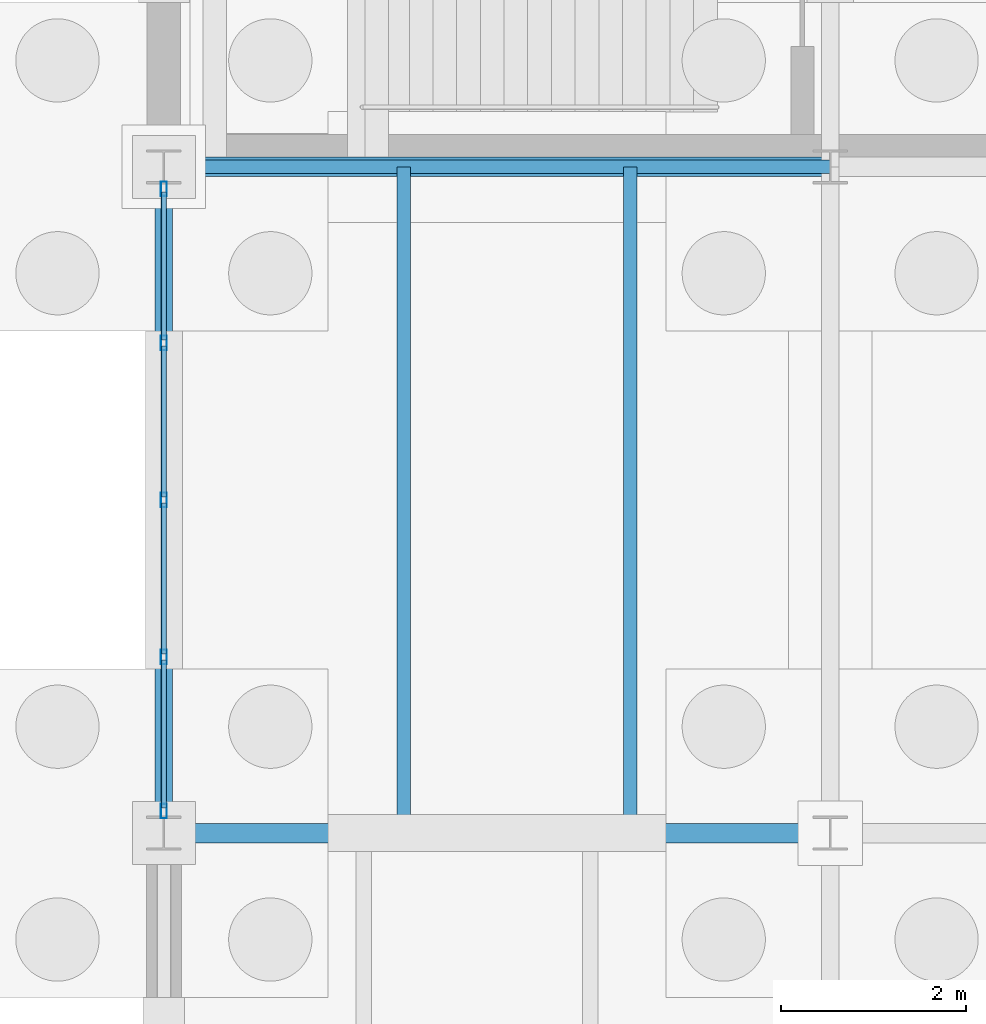
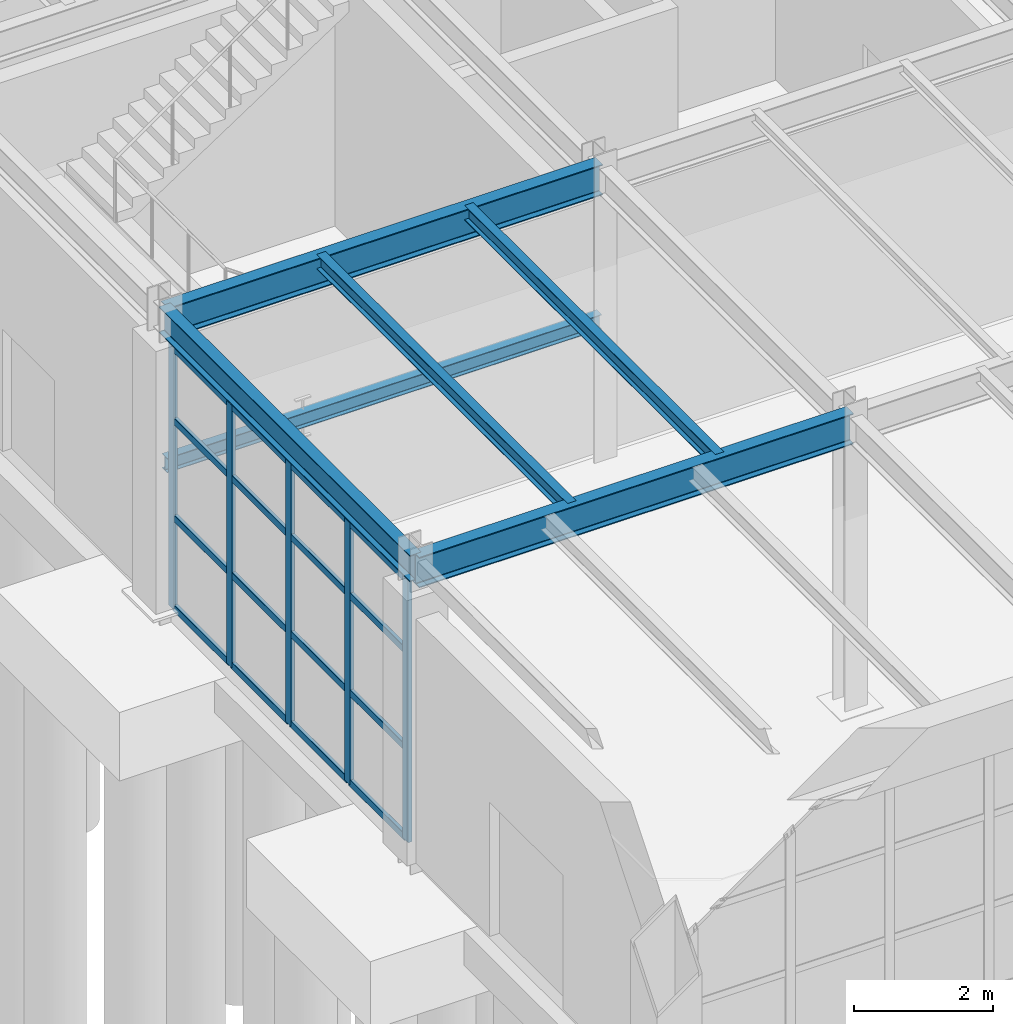
# One storey, part 41 of 293: 21 members, 6 beams, 1 element without a shape of its own.
"""IFC4 building model written with IfcOpenShell, lengths in metres."""

from ifc_helpers import new_model, si_unit, direction, frame, origin, origin_2d, place, context, subcontext, project, spatial, hollow_rectangle, i_section, extrude, material, layer, layer_set, material_profile, profile_set, type_object, element, aggregate, save


model = new_model("IFC4")

# Units and contexts
model_context = context("Model", 3, precision=1e-05, world=origin(), true_north=direction((0.0, 1.0)))
body_context = subcontext(model_context, "Body", "Model", "MODEL_VIEW")
ifc_project = project(units=[si_unit("LENGTHUNIT", "METRE"), si_unit("AREAUNIT", "SQUARE_METRE"), si_unit("VOLUMEUNIT", "CUBIC_METRE"), si_unit("PLANEANGLEUNIT", "RADIAN"), si_unit("MASSUNIT", "GRAM", prefix="KILO")], contexts=[model_context])

# Site, building, storey
site_placement = place(None, origin())
site = spatial("IfcSite", under=ifc_project, at=site_placement, CompositionType="ELEMENT")
building_placement = place(site_placement, origin())
building = spatial("IfcBuilding", under=site, at=building_placement, Name="Kemerveld Promenade Tramway Depot", CompositionType="ELEMENT")
storey_placement = place(building_placement, origin())
storey = spatial("IfcBuildingStorey", under=building, at=storey_placement, Name="L00", CompositionType="ELEMENT", Elevation=0.0)

# Beams
ifc_material_1 = material(Name="Steel S355", Category="steel")
ifc_material_profile_1 = material_profile(ifc_material_1, i_section(OverallWidth=0.2099609375, OverallDepth=0.53662109375, WebThickness=0.0107421875, FlangeThickness=0.017333984375, FilletRadius=0.0126953125, at=origin_2d()), Name="533x210x101 UB")
ifc_profile_set_1 = profile_set([ifc_material_profile_1], Name="Steel S355")
beam_type_1 = type_object("IfcBeamType", Name="BM-G05", PredefinedType="BEAM", material=ifc_profile_set_1)
for number, where, z_axis, x_axis, name in (
    (1, (0.0, 7.199951171875, 4.881591796875), (1.0, 0.0, 0.0), (0.0, 1.0, 0.0), "BMX-L00-01-02-B"),
    (2, (0.0, 14.39990234375, 4.881591796875), (1.0, 0.0, 0.0), (0.0, 1.0, 0.0), "BMX-L00-01-02-C"),
):
    element("IfcBeam", number, at=place(storey_placement, frame(where, z_axis=z_axis, x_axis=x_axis)), inside=storey, type_object=beam_type_1, Name=name, PredefinedType="BEAM", context=body_context, shape_type="SweptSolid", body=[
        extrude(i_section(OverallWidth=0.2099609375, OverallDepth=0.53662109375, WebThickness=0.0107421875, FlangeThickness=0.017333984375, FilletRadius=0.0126953125, at=origin_2d()), origin(), (0.0, 0.0, 1.0), 7.199951171875),
    ])
ifc_material_profile_2 = material_profile(ifc_material_1, i_section(OverallWidth=0.19140625, OverallDepth=0.4599609375, WebThickness=0.010009765625, FlangeThickness=0.01611328125, FilletRadius=0.01025390625, at=origin_2d()), Name="457x191x82 UB")
ifc_profile_set_2 = profile_set([ifc_material_profile_2], Name="Steel S355")
beam_type_2 = type_object("IfcBeamType", Name="BM-G06", PredefinedType="BEAM", material=ifc_profile_set_2)
beam_placement = place(storey_placement, frame((0.0, 7.199951171875, 4.919921875), z_axis=(0.0, 1.0, 0.0), x_axis=(-1.0, 0.0, 0.0)))
element("IfcBeam", 3, at=beam_placement, inside=storey, type_object=beam_type_2, Name="BMY-L00-01-B-C", PredefinedType="BEAM", context=body_context, shape_type="SweptSolid", body=[
    extrude(i_section(OverallWidth=0.19140625, OverallDepth=0.4599609375, WebThickness=0.010009765625, FlangeThickness=0.01611328125, FilletRadius=0.01025390625, at=origin_2d()), origin(), (0.0, 0.0, 1.0), 7.199951171875),
])
ifc_material_profile_3 = material_profile(ifc_material_1, i_section(OverallWidth=0.146484375, OverallDepth=0.256103515625, WebThickness=0.00634765625, FlangeThickness=0.010986328125, FilletRadius=0.007568359375, at=origin_2d()), Name="254x146x37 UB")
ifc_profile_set_3 = profile_set([ifc_material_profile_3], Name="Steel S355")
beam_type_3 = type_object("IfcBeamType", Name="BM-J02", PredefinedType="JOIST", material=ifc_profile_set_3)
for number, where, z_axis, x_axis, name in (
    (4, (2.592041015625, 7.199951171875, 5.02197265625), (0.0, 1.0, 0.0), (-1.0, 0.0, 0.0), "JST-L00-01-B-1"),
    (5, (5.0400390625, 7.199951171875, 5.02197265625), (0.0, 1.0, 0.0), (-1.0, 0.0, 0.0), "JST-L00-01-B-2"),
    (6, (0.0, 14.39990234375, 2.3720703125), (1.0, 0.0, 0.0), (0.0, 1.0, 0.0), "BM-HLY-ST-01-L00-S"),
):
    element("IfcBeam", number, at=place(storey_placement, frame(where, z_axis=z_axis, x_axis=x_axis)), inside=storey, type_object=beam_type_3, Name=name, PredefinedType="JOIST", context=body_context, shape_type="SweptSolid", body=[
        extrude(i_section(OverallWidth=0.146484375, OverallDepth=0.256103515625, WebThickness=0.00634765625, FlangeThickness=0.010986328125, FilletRadius=0.007568359375, at=origin_2d()), origin(), (0.0, 0.0, 1.0), 7.199951171875),
    ])

# Curtain wall, members
ifc_material_2 = material(Name="Bronze anodised aluminium and solar glass", Category="aluminium")
ifc_layer = layer(ifc_material_2, 0.159912109375)
ifc_layer_set = layer_set([ifc_layer], Name="CW-SYS-05")
curtain_wall_type = type_object("IfcCurtainWallType", Name="CW-SYS-05", PredefinedType="USERDEFINED", material=ifc_layer_set)
curtain_wall_placement = place(storey_placement, origin())
curtain_wall = element("IfcCurtainWall", 7, at=curtain_wall_placement, inside=storey, type_object=curtain_wall_type, Name="CW-L00-V5W-02", ObjectType="GLAZED_CURTAIN_WALL", PredefinedType="USERDEFINED")
ifc_material_3 = material(Name="Bronze anodised aluminium", Category="aluminium")
ifc_material_profile_4 = material_profile(ifc_material_3, hollow_rectangle(XDim=0.06494140625, YDim=0.159912109375, WallThickness=0.00390625, InnerFilletRadius=0.001953125, OuterFilletRadius=0.00390625, at=origin_2d()), Name="CW-MUL-160x65")
ifc_profile_set_4 = profile_set([ifc_material_profile_4], Name="Bronze anodised aluminium")
member_type_1 = type_object("IfcMemberType", Name="CW-MUL-A", PredefinedType="MULLION", material=ifc_profile_set_4)
member_1_placement = place(storey_placement, frame((0.0, 7.438720703125, 0.0), z_axis=(0.0, 0.0, 1.0), x_axis=(-1.0, 0.0, 0.0)))
member_1 = element("IfcMember", 8, at=member_1_placement, type_object=member_type_1, Name="CW05 mullion 1", PredefinedType="MULLION", context=body_context, shape_type="SweptSolid", body=[
    extrude(hollow_rectangle(XDim=0.06494140625, YDim=0.159912109375, WallThickness=0.00390625, InnerFilletRadius=0.001953125, OuterFilletRadius=0.00390625, at=origin_2d()), origin(), (0.0, 0.0, 1.0), 4.593505859375),
])
member_2_placement = place(storey_placement, frame((0.0, 9.103271484375, 0.0), z_axis=(0.0, 0.0, 1.0), x_axis=(-1.0, 0.0, 0.0)))
member_2 = element("IfcMember", 9, at=member_2_placement, type_object=member_type_1, Name="CW05 mullion 2", PredefinedType="MULLION", context=body_context, shape_type="SweptSolid", body=[
    extrude(hollow_rectangle(XDim=0.06494140625, YDim=0.159912109375, WallThickness=0.00390625, InnerFilletRadius=0.001953125, OuterFilletRadius=0.00390625, at=origin_2d()), origin(), (0.0, 0.0, 1.0), 4.593505859375),
])
member_3_placement = place(storey_placement, frame((0.0, 10.800048828125, 0.0), z_axis=(0.0, 0.0, 1.0), x_axis=(-1.0, 0.0, 0.0)))
member_3 = element("IfcMember", 10, at=member_3_placement, type_object=member_type_1, Name="CW05 mullion 3", PredefinedType="MULLION", context=body_context, shape_type="SweptSolid", body=[
    extrude(hollow_rectangle(XDim=0.06494140625, YDim=0.159912109375, WallThickness=0.00390625, InnerFilletRadius=0.001953125, OuterFilletRadius=0.00390625, at=origin_2d()), origin(), (0.0, 0.0, 1.0), 4.593505859375),
])
member_4_placement = place(storey_placement, frame((0.0, 12.496826171875, 0.0), z_axis=(0.0, 0.0, 1.0), x_axis=(-1.0, 0.0, 0.0)))
member_4 = element("IfcMember", 11, at=member_4_placement, type_object=member_type_1, Name="CW05 mullion 4", PredefinedType="MULLION", context=body_context, shape_type="SweptSolid", body=[
    extrude(hollow_rectangle(XDim=0.06494140625, YDim=0.159912109375, WallThickness=0.00390625, InnerFilletRadius=0.001953125, OuterFilletRadius=0.00390625, at=origin_2d()), origin(), (0.0, 0.0, 1.0), 4.593505859375),
])
member_5_placement = place(storey_placement, frame((0.0, 14.1611328125, 0.0), z_axis=(0.0, 0.0, 1.0), x_axis=(-1.0, 0.0, 0.0)))
member_5 = element("IfcMember", 12, at=member_5_placement, type_object=member_type_1, Name="CW05 mullion 5", PredefinedType="MULLION", context=body_context, shape_type="SweptSolid", body=[
    extrude(hollow_rectangle(XDim=0.06494140625, YDim=0.159912109375, WallThickness=0.00390625, InnerFilletRadius=0.001953125, OuterFilletRadius=0.00390625, at=origin_2d()), origin(), (0.0, 0.0, 1.0), 4.593505859375),
])
ifc_material_profile_5 = material_profile(ifc_material_3, hollow_rectangle(XDim=0.06005859375, YDim=0.1201171875, WallThickness=0.00390625, InnerFilletRadius=0.001953125, OuterFilletRadius=0.00390625, at=origin_2d()), Name="CW-TRN-120x60")
ifc_profile_set_5 = profile_set([ifc_material_profile_5], Name="Bronze anodised aluminium")
member_type_2 = type_object("IfcMemberType", Name="CW-TRN-A", PredefinedType="USERDEFINED", material=ifc_profile_set_5)
member_6_placement = place(storey_placement, frame((0.0, 7.47119140625, 0.030029296875), z_axis=(0.0, 1.0, 0.0), x_axis=(-1.0, 0.0, 0.0)))
member_6 = element("IfcMember", 13, at=member_6_placement, type_object=member_type_2, Name="CW05 transom 1.1", ObjectType="TRANSOM", PredefinedType="USERDEFINED", context=body_context, shape_type="SweptSolid", body=[
    extrude(hollow_rectangle(XDim=0.06005859375, YDim=0.1201171875, WallThickness=0.00390625, InnerFilletRadius=0.001953125, OuterFilletRadius=0.00390625, at=origin_2d()), origin(), (0.0, 0.0, 1.0), 1.599365234375),
])
member_7_placement = place(storey_placement, frame((0.0, 7.47119140625, 1.60791015625), z_axis=(0.0, 1.0, 0.0), x_axis=(-1.0, 0.0, 0.0)))
member_7 = element("IfcMember", 14, at=member_7_placement, type_object=member_type_2, Name="CW05 transom 1.2", ObjectType="TRANSOM", PredefinedType="USERDEFINED", context=body_context, shape_type="SweptSolid", body=[
    extrude(hollow_rectangle(XDim=0.06005859375, YDim=0.1201171875, WallThickness=0.00390625, InnerFilletRadius=0.001953125, OuterFilletRadius=0.00390625, at=origin_2d()), origin(), (0.0, 0.0, 1.0), 1.599365234375),
])
member_8_placement = place(storey_placement, frame((0.0, 7.47119140625, 3.306884765625), z_axis=(0.0, 1.0, 0.0), x_axis=(-1.0, 0.0, 0.0)))
member_8 = element("IfcMember", 15, at=member_8_placement, type_object=member_type_2, Name="CW05 transom 1.3", ObjectType="TRANSOM", PredefinedType="USERDEFINED", context=body_context, shape_type="SweptSolid", body=[
    extrude(hollow_rectangle(XDim=0.06005859375, YDim=0.1201171875, WallThickness=0.00390625, InnerFilletRadius=0.001953125, OuterFilletRadius=0.00390625, at=origin_2d()), origin(), (0.0, 0.0, 1.0), 1.599365234375),
])
member_9_placement = place(storey_placement, frame((0.0, 7.47119140625, 4.5634765625), z_axis=(0.0, 1.0, 0.0), x_axis=(-1.0, 0.0, 0.0)))
member_9 = element("IfcMember", 16, at=member_9_placement, type_object=member_type_2, Name="CW05 transom 1.4", ObjectType="TRANSOM", PredefinedType="USERDEFINED", context=body_context, shape_type="SweptSolid", body=[
    extrude(hollow_rectangle(XDim=0.06005859375, YDim=0.1201171875, WallThickness=0.00390625, InnerFilletRadius=0.001953125, OuterFilletRadius=0.00390625, at=origin_2d()), origin(), (0.0, 0.0, 1.0), 1.599365234375),
])
member_10_placement = place(storey_placement, frame((0.0, 9.1357421875, 0.030029296875), z_axis=(0.0, 1.0, 0.0), x_axis=(-1.0, 0.0, 0.0)))
member_10 = element("IfcMember", 17, at=member_10_placement, type_object=member_type_2, Name="CW05 transom 2.1", ObjectType="TRANSOM", PredefinedType="USERDEFINED", context=body_context, shape_type="SweptSolid", body=[
    extrude(hollow_rectangle(XDim=0.06005859375, YDim=0.1201171875, WallThickness=0.00390625, InnerFilletRadius=0.001953125, OuterFilletRadius=0.00390625, at=origin_2d()), origin(), (0.0, 0.0, 1.0), 1.6318359375),
])
member_11_placement = place(storey_placement, frame((0.0, 9.1357421875, 1.60791015625), z_axis=(0.0, 1.0, 0.0), x_axis=(-1.0, 0.0, 0.0)))
member_11 = element("IfcMember", 18, at=member_11_placement, type_object=member_type_2, Name="CW05 transom 2.2", ObjectType="TRANSOM", PredefinedType="USERDEFINED", context=body_context, shape_type="SweptSolid", body=[
    extrude(hollow_rectangle(XDim=0.06005859375, YDim=0.1201171875, WallThickness=0.00390625, InnerFilletRadius=0.001953125, OuterFilletRadius=0.00390625, at=origin_2d()), origin(), (0.0, 0.0, 1.0), 1.6318359375),
])
member_12_placement = place(storey_placement, frame((0.0, 9.1357421875, 3.306884765625), z_axis=(0.0, 1.0, 0.0), x_axis=(-1.0, 0.0, 0.0)))
member_12 = element("IfcMember", 19, at=member_12_placement, type_object=member_type_2, Name="CW05 transom 2.3", ObjectType="TRANSOM", PredefinedType="USERDEFINED", context=body_context, shape_type="SweptSolid", body=[
    extrude(hollow_rectangle(XDim=0.06005859375, YDim=0.1201171875, WallThickness=0.00390625, InnerFilletRadius=0.001953125, OuterFilletRadius=0.00390625, at=origin_2d()), origin(), (0.0, 0.0, 1.0), 1.6318359375),
])
member_13_placement = place(storey_placement, frame((0.0, 9.1357421875, 4.5634765625), z_axis=(0.0, 1.0, 0.0), x_axis=(-1.0, 0.0, 0.0)))
member_13 = element("IfcMember", 20, at=member_13_placement, type_object=member_type_2, Name="CW05 transom 2.4", ObjectType="TRANSOM", PredefinedType="USERDEFINED", context=body_context, shape_type="SweptSolid", body=[
    extrude(hollow_rectangle(XDim=0.06005859375, YDim=0.1201171875, WallThickness=0.00390625, InnerFilletRadius=0.001953125, OuterFilletRadius=0.00390625, at=origin_2d()), origin(), (0.0, 0.0, 1.0), 1.6318359375),
])
member_14_placement = place(storey_placement, frame((0.0, 10.83251953125, 0.030029296875), z_axis=(0.0, 1.0, 0.0), x_axis=(-1.0, 0.0, 0.0)))
member_14 = element("IfcMember", 21, at=member_14_placement, type_object=member_type_2, Name="CW05 transom 3.1", ObjectType="TRANSOM", PredefinedType="USERDEFINED", context=body_context, shape_type="SweptSolid", body=[
    extrude(hollow_rectangle(XDim=0.06005859375, YDim=0.1201171875, WallThickness=0.00390625, InnerFilletRadius=0.001953125, OuterFilletRadius=0.00390625, at=origin_2d()), origin(), (0.0, 0.0, 1.0), 1.6318359375),
])
member_15_placement = place(storey_placement, frame((0.0, 10.83251953125, 1.60791015625), z_axis=(0.0, 1.0, 0.0), x_axis=(-1.0, 0.0, 0.0)))
member_15 = element("IfcMember", 22, at=member_15_placement, type_object=member_type_2, Name="CW05 transom 3.2", ObjectType="TRANSOM", PredefinedType="USERDEFINED", context=body_context, shape_type="SweptSolid", body=[
    extrude(hollow_rectangle(XDim=0.06005859375, YDim=0.1201171875, WallThickness=0.00390625, InnerFilletRadius=0.001953125, OuterFilletRadius=0.00390625, at=origin_2d()), origin(), (0.0, 0.0, 1.0), 1.6318359375),
])
member_16_placement = place(storey_placement, frame((0.0, 10.83251953125, 3.306884765625), z_axis=(0.0, 1.0, 0.0), x_axis=(-1.0, 0.0, 0.0)))
member_16 = element("IfcMember", 23, at=member_16_placement, type_object=member_type_2, Name="CW05 transom 3.3", ObjectType="TRANSOM", PredefinedType="USERDEFINED", context=body_context, shape_type="SweptSolid", body=[
    extrude(hollow_rectangle(XDim=0.06005859375, YDim=0.1201171875, WallThickness=0.00390625, InnerFilletRadius=0.001953125, OuterFilletRadius=0.00390625, at=origin_2d()), origin(), (0.0, 0.0, 1.0), 1.6318359375),
])
member_17_placement = place(storey_placement, frame((0.0, 10.83251953125, 4.5634765625), z_axis=(0.0, 1.0, 0.0), x_axis=(-1.0, 0.0, 0.0)))
member_17 = element("IfcMember", 24, at=member_17_placement, type_object=member_type_2, Name="CW05 transom 3.4", ObjectType="TRANSOM", PredefinedType="USERDEFINED", context=body_context, shape_type="SweptSolid", body=[
    extrude(hollow_rectangle(XDim=0.06005859375, YDim=0.1201171875, WallThickness=0.00390625, InnerFilletRadius=0.001953125, OuterFilletRadius=0.00390625, at=origin_2d()), origin(), (0.0, 0.0, 1.0), 1.6318359375),
])
member_18_placement = place(storey_placement, frame((0.0, 12.529296875, 0.030029296875), z_axis=(0.0, 1.0, 0.0), x_axis=(-1.0, 0.0, 0.0)))
member_18 = element("IfcMember", 25, at=member_18_placement, type_object=member_type_2, Name="CW05 transom 4.1", ObjectType="TRANSOM", PredefinedType="USERDEFINED", context=body_context, shape_type="SweptSolid", body=[
    extrude(hollow_rectangle(XDim=0.06005859375, YDim=0.1201171875, WallThickness=0.00390625, InnerFilletRadius=0.001953125, OuterFilletRadius=0.00390625, at=origin_2d()), origin(), (0.0, 0.0, 1.0), 1.599365234375),
])
member_19_placement = place(storey_placement, frame((0.0, 12.529296875, 1.60791015625), z_axis=(0.0, 1.0, 0.0), x_axis=(-1.0, 0.0, 0.0)))
member_19 = element("IfcMember", 26, at=member_19_placement, type_object=member_type_2, Name="CW05 transom 4.2", ObjectType="TRANSOM", PredefinedType="USERDEFINED", context=body_context, shape_type="SweptSolid", body=[
    extrude(hollow_rectangle(XDim=0.06005859375, YDim=0.1201171875, WallThickness=0.00390625, InnerFilletRadius=0.001953125, OuterFilletRadius=0.00390625, at=origin_2d()), origin(), (0.0, 0.0, 1.0), 1.599365234375),
])
member_20_placement = place(storey_placement, frame((0.0, 12.529296875, 3.306884765625), z_axis=(0.0, 1.0, 0.0), x_axis=(-1.0, 0.0, 0.0)))
member_20 = element("IfcMember", 27, at=member_20_placement, type_object=member_type_2, Name="CW05 transom 4.3", ObjectType="TRANSOM", PredefinedType="USERDEFINED", context=body_context, shape_type="SweptSolid", body=[
    extrude(hollow_rectangle(XDim=0.06005859375, YDim=0.1201171875, WallThickness=0.00390625, InnerFilletRadius=0.001953125, OuterFilletRadius=0.00390625, at=origin_2d()), origin(), (0.0, 0.0, 1.0), 1.599365234375),
])
member_21_placement = place(storey_placement, frame((0.0, 12.529296875, 4.5634765625), z_axis=(0.0, 1.0, 0.0), x_axis=(-1.0, 0.0, 0.0)))
member_21 = element("IfcMember", 28, at=member_21_placement, type_object=member_type_2, Name="CW05 transom 4.4", ObjectType="TRANSOM", PredefinedType="USERDEFINED", context=body_context, shape_type="SweptSolid", body=[
    extrude(hollow_rectangle(XDim=0.06005859375, YDim=0.1201171875, WallThickness=0.00390625, InnerFilletRadius=0.001953125, OuterFilletRadius=0.00390625, at=origin_2d()), origin(), (0.0, 0.0, 1.0), 1.599365234375),
])
aggregate(curtain_wall, [member_1, member_2, member_3, member_4, member_5, member_6, member_7, member_8, member_9, member_10, member_11, member_12, member_13, member_14, member_15, member_16, member_17, member_18, member_19, member_20, member_21])

save(model, "model.ifc")
